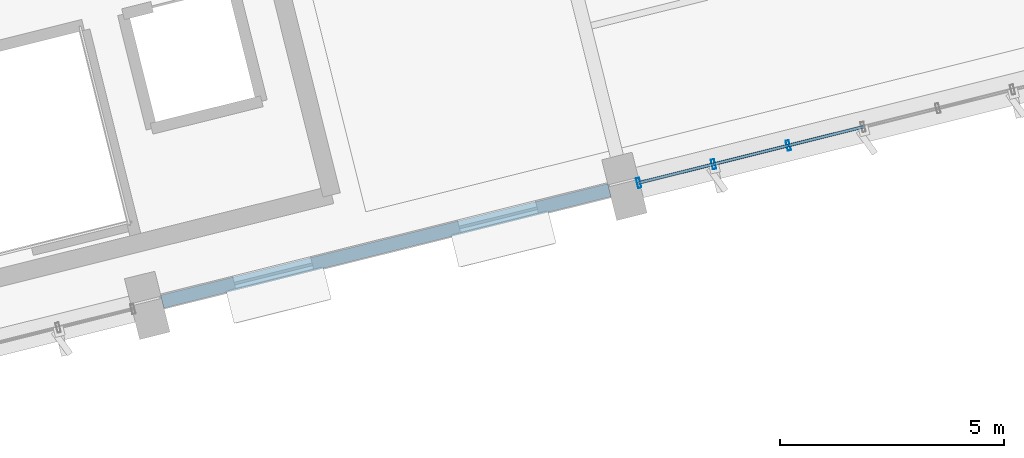
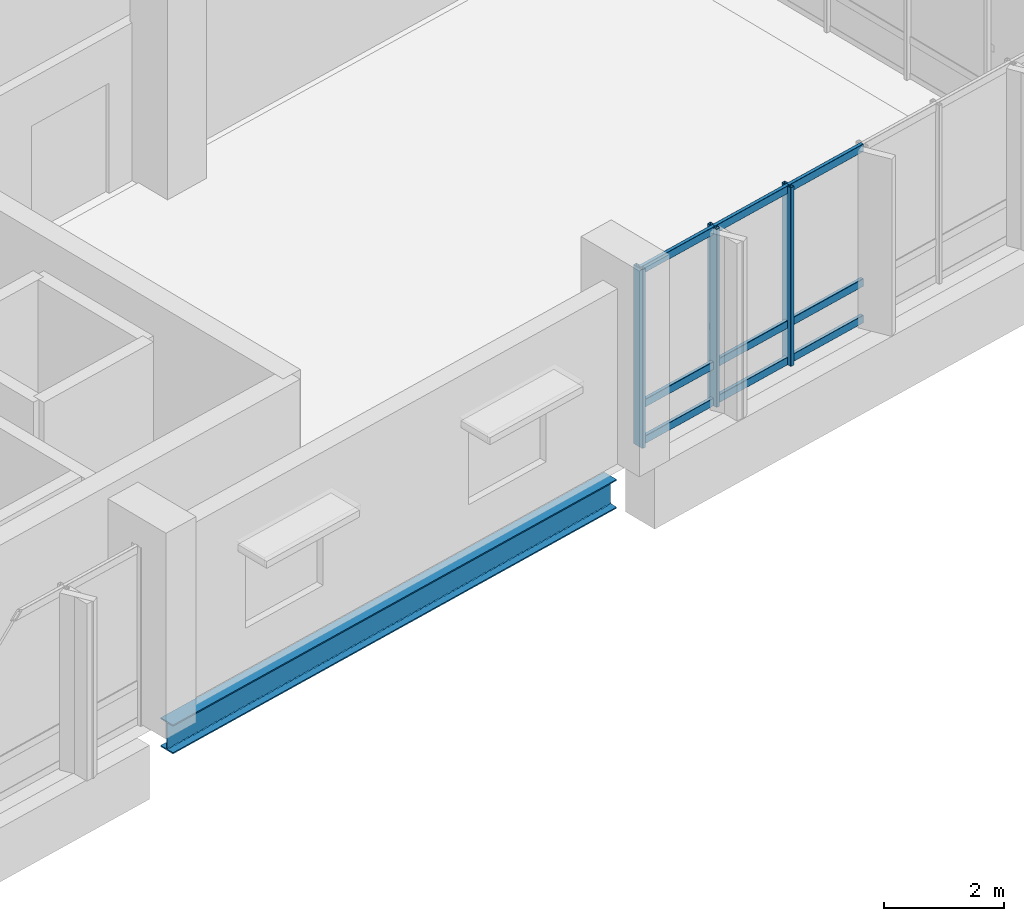
# One storey, part 9 of 22: 12 members, 1 beam, 1 element without a shape of its own.
"""IFC4 building model written with IfcOpenShell, lengths in metres."""

from ifc_helpers import new_model, si_unit, direction, frame, origin, origin_2d, place, context, subcontext, project, spatial, hollow_rectangle, i_section, extrude, material, layer, layer_set, material_profile, profile_set, type_object, element, aggregate, save


model = new_model("IFC4")

# Units and contexts
model_context = context("Model", 3, precision=1e-05, world=origin(), true_north=direction((0.0, 1.0)))
body_context = subcontext(model_context, "Body", "Model", "MODEL_VIEW")
ifc_project = project(units=[si_unit("LENGTHUNIT", "METRE"), si_unit("AREAUNIT", "SQUARE_METRE"), si_unit("VOLUMEUNIT", "CUBIC_METRE"), si_unit("PLANEANGLEUNIT", "RADIAN"), si_unit("MASSUNIT", "GRAM", prefix="KILO")], contexts=[model_context])

# Site, building, storey
site_placement = place(None, origin())
site = spatial("IfcSite", under=ifc_project, at=site_placement, CompositionType="ELEMENT")
building_placement = place(site_placement, origin())
building = spatial("IfcBuilding", under=site, at=building_placement, Name="Khorjan Park Terminus", CompositionType="ELEMENT")
storey_placement = place(building_placement, frame((0.0, 0.0, 24.6)))
storey = spatial("IfcBuildingStorey", under=building, at=storey_placement, Name="L05", CompositionType="ELEMENT", Elevation=24.6)

# Beam
ifc_material_1 = material(Name="Steel S355", Category="steel")
ifc_material_profile_1 = material_profile(ifc_material_1, i_section(OverallWidth=0.3, OverallDepth=0.59, WebThickness=0.013, FlangeThickness=0.025, FilletRadius=0.027, at=origin_2d()), Name="HEA 600")
ifc_profile_set_1 = profile_set([ifc_material_profile_1], Name="Steel S355")
beam_type = type_object("IfcBeamType", Name="BM-HEA600", PredefinedType="BEAM", material=ifc_profile_set_1)
beam_placement = place(storey_placement, frame((209.0278, 12.728, -0.625), z_axis=(0.970295784153, 0.241921663468, 0.0), x_axis=(-0.241921663468, 0.970295784153, 0.0)))
element("IfcBeam", 1, at=beam_placement, inside=storey, type_object=beam_type, Name="Primary skew-grid floor girder SB-A60 (L05)", PredefinedType="BEAM", context=body_context, shape_type="SweptSolid", body=[
    extrude(i_section(OverallWidth=0.3, OverallDepth=0.59, WebThickness=0.013, FlangeThickness=0.025, FilletRadius=0.027, at=origin_2d()), origin(), (0.0, 0.0, 1.0), 10.3099),
])

# Curtain wall, members
ifc_material_2 = material(Name="Anodized Bronze Aluminium", Category="aluminium")
ifc_layer = layer(ifc_material_2, 0.22)
ifc_layer_set = layer_set([ifc_layer], Name="Anodized Bronze Aluminium")
curtain_wall_type = type_object("IfcCurtainWallType", Name="CW-OPS-B", PredefinedType="NOTDEFINED", material=ifc_layer_set)
curtain_wall_placement = place(storey_placement, origin())
curtain_wall = element("IfcCurtainWall", 2, at=curtain_wall_placement, inside=storey, type_object=curtain_wall_type, Name="Unitized curtain wall CW-B (CW-V5-S-L05-B05)", PredefinedType="NOTDEFINED")
ifc_material_profile_2 = material_profile(ifc_material_2, hollow_rectangle(XDim=0.075, YDim=0.225, WallThickness=0.005, InnerFilletRadius=0.005, OuterFilletRadius=0.01, at=origin_2d()), Name="ALM 75x225x5")
ifc_profile_set_2 = profile_set([ifc_material_profile_2], Name="Anodized Bronze Aluminium")
member_type_1 = type_object("IfcMemberType", Name="ML-ALM-225", PredefinedType="MULLION", material=ifc_profile_set_2)
member_1_placement = place(storey_placement, frame((219.6863, 15.3855, -0.035), z_axis=(0.0, 0.0, 1.0), x_axis=(0.970296464407, 0.241918935098, 0.0)))
member_1 = element("IfcMember", 3, at=member_1_placement, type_object=member_type_1, Name="Curtain-wall mullion ML-22 (CW-V5-S-L05-B05-0)", PredefinedType="MULLION", context=body_context, shape_type="SweptSolid", body=[
    extrude(hollow_rectangle(XDim=0.075, YDim=0.225, WallThickness=0.005, InnerFilletRadius=0.005, OuterFilletRadius=0.01, at=origin_2d()), origin(), (0.0, 0.0, 1.0), 3.645),
])
member_2_placement = place(storey_placement, frame((221.3585, 15.8024, -0.035), z_axis=(0.0, 0.0, 1.0), x_axis=(0.970296464407, 0.241918935098, 0.0)))
member_2 = element("IfcMember", 4, at=member_2_placement, type_object=member_type_1, Name="Curtain-wall mullion ML-22 (CW-V5-S-L05-B05-1)", PredefinedType="MULLION", context=body_context, shape_type="SweptSolid", body=[
    extrude(hollow_rectangle(XDim=0.075, YDim=0.225, WallThickness=0.005, InnerFilletRadius=0.005, OuterFilletRadius=0.01, at=origin_2d()), origin(), (0.0, 0.0, 1.0), 3.645),
])
member_3_placement = place(storey_placement, frame((223.0308, 16.2194, -0.035), z_axis=(0.0, 0.0, 1.0), x_axis=(0.970296464407, 0.241918935098, 0.0)))
member_3 = element("IfcMember", 5, at=member_3_placement, type_object=member_type_1, Name="Curtain-wall mullion ML-22 (CW-V5-S-L05-B05-2)", PredefinedType="MULLION", context=body_context, shape_type="SweptSolid", body=[
    extrude(hollow_rectangle(XDim=0.075, YDim=0.225, WallThickness=0.005, InnerFilletRadius=0.005, OuterFilletRadius=0.01, at=origin_2d()), origin(), (0.0, 0.0, 1.0), 3.645),
])
ifc_material_profile_3 = material_profile(ifc_material_2, hollow_rectangle(XDim=0.07, YDim=0.16, WallThickness=0.004, InnerFilletRadius=0.004, OuterFilletRadius=0.008, at=origin_2d()), Name="ALT 70x160x4")
ifc_profile_set_3 = profile_set([ifc_material_profile_3], Name="Anodized Bronze Aluminium")
member_type_2 = type_object("IfcMemberType", Name="TR-ALT-160", PredefinedType="USERDEFINED", material=ifc_profile_set_3)
member_4_placement = place(storey_placement, frame((219.6863, 15.3855, 0.04), z_axis=(0.970299306534, 0.241907535518, 0.0), x_axis=(-0.241907535518, 0.970299306534, 0.0)))
member_4 = element("IfcMember", 6, at=member_4_placement, type_object=member_type_2, Name="Curtain-wall transom TR-16 (CW-V5-S-L05-B05-0-1)", ObjectType="TRANSOM", PredefinedType="USERDEFINED", context=body_context, shape_type="SweptSolid", body=[
    extrude(hollow_rectangle(XDim=0.07, YDim=0.16, WallThickness=0.004, InnerFilletRadius=0.004, OuterFilletRadius=0.008, at=origin_2d()), origin(), (0.0, 0.0, 1.0), 1.7234),
])
member_5_placement = place(storey_placement, frame((219.6863, 15.3855, 0.786), z_axis=(0.970299306534, 0.241907535518, 0.0), x_axis=(-0.241907535518, 0.970299306534, 0.0)))
member_5 = element("IfcMember", 7, at=member_5_placement, type_object=member_type_2, Name="Curtain-wall transom TR-16 (CW-V5-S-L05-B05-0-2)", ObjectType="TRANSOM", PredefinedType="USERDEFINED", context=body_context, shape_type="SweptSolid", body=[
    extrude(hollow_rectangle(XDim=0.07, YDim=0.16, WallThickness=0.004, InnerFilletRadius=0.004, OuterFilletRadius=0.008, at=origin_2d()), origin(), (0.0, 0.0, 1.0), 1.7234),
])
member_6_placement = place(storey_placement, frame((219.6863, 15.3855, 3.535), z_axis=(0.970299306534, 0.241907535518, 0.0), x_axis=(-0.241907535518, 0.970299306534, 0.0)))
member_6 = element("IfcMember", 8, at=member_6_placement, type_object=member_type_2, Name="Curtain-wall transom TR-16 (CW-V5-S-L05-B05-0-3)", ObjectType="TRANSOM", PredefinedType="USERDEFINED", context=body_context, shape_type="SweptSolid", body=[
    extrude(hollow_rectangle(XDim=0.07, YDim=0.16, WallThickness=0.004, InnerFilletRadius=0.004, OuterFilletRadius=0.008, at=origin_2d()), origin(), (0.0, 0.0, 1.0), 1.7234),
])
member_7_placement = place(storey_placement, frame((221.3585, 15.8024, 0.04), z_axis=(0.970289082125, 0.241948542275, 0.0), x_axis=(-0.241948542275, 0.970289082125, 0.0)))
member_7 = element("IfcMember", 9, at=member_7_placement, type_object=member_type_2, Name="Curtain-wall transom TR-16 (CW-V5-S-L05-B05-1-1)", ObjectType="TRANSOM", PredefinedType="USERDEFINED", context=body_context, shape_type="SweptSolid", body=[
    extrude(hollow_rectangle(XDim=0.07, YDim=0.16, WallThickness=0.004, InnerFilletRadius=0.004, OuterFilletRadius=0.008, at=origin_2d()), origin(), (0.0, 0.0, 1.0), 1.7235),
])
member_8_placement = place(storey_placement, frame((221.3585, 15.8024, 0.786), z_axis=(0.970289082125, 0.241948542275, 0.0), x_axis=(-0.241948542275, 0.970289082125, 0.0)))
member_8 = element("IfcMember", 10, at=member_8_placement, type_object=member_type_2, Name="Curtain-wall transom TR-16 (CW-V5-S-L05-B05-1-2)", ObjectType="TRANSOM", PredefinedType="USERDEFINED", context=body_context, shape_type="SweptSolid", body=[
    extrude(hollow_rectangle(XDim=0.07, YDim=0.16, WallThickness=0.004, InnerFilletRadius=0.004, OuterFilletRadius=0.008, at=origin_2d()), origin(), (0.0, 0.0, 1.0), 1.7235),
])
member_9_placement = place(storey_placement, frame((221.3585, 15.8024, 3.535), z_axis=(0.970289082125, 0.241948542275, 0.0), x_axis=(-0.241948542275, 0.970289082125, 0.0)))
member_9 = element("IfcMember", 11, at=member_9_placement, type_object=member_type_2, Name="Curtain-wall transom TR-16 (CW-V5-S-L05-B05-1-3)", ObjectType="TRANSOM", PredefinedType="USERDEFINED", context=body_context, shape_type="SweptSolid", body=[
    extrude(hollow_rectangle(XDim=0.07, YDim=0.16, WallThickness=0.004, InnerFilletRadius=0.004, OuterFilletRadius=0.008, at=origin_2d()), origin(), (0.0, 0.0, 1.0), 1.7235),
])
member_10_placement = place(storey_placement, frame((223.0308, 16.2194, 0.04), z_axis=(0.970299306534, 0.241907535518, 0.0), x_axis=(-0.241907535518, 0.970299306534, 0.0)))
member_10 = element("IfcMember", 12, at=member_10_placement, type_object=member_type_2, Name="Curtain-wall transom TR-16 (CW-V5-S-L05-B05-2-1)", ObjectType="TRANSOM", PredefinedType="USERDEFINED", context=body_context, shape_type="SweptSolid", body=[
    extrude(hollow_rectangle(XDim=0.07, YDim=0.16, WallThickness=0.004, InnerFilletRadius=0.004, OuterFilletRadius=0.008, at=origin_2d()), origin(), (0.0, 0.0, 1.0), 1.7234),
])
member_11_placement = place(storey_placement, frame((223.0308, 16.2194, 0.786), z_axis=(0.970299306534, 0.241907535518, 0.0), x_axis=(-0.241907535518, 0.970299306534, 0.0)))
member_11 = element("IfcMember", 13, at=member_11_placement, type_object=member_type_2, Name="Curtain-wall transom TR-16 (CW-V5-S-L05-B05-2-2)", ObjectType="TRANSOM", PredefinedType="USERDEFINED", context=body_context, shape_type="SweptSolid", body=[
    extrude(hollow_rectangle(XDim=0.07, YDim=0.16, WallThickness=0.004, InnerFilletRadius=0.004, OuterFilletRadius=0.008, at=origin_2d()), origin(), (0.0, 0.0, 1.0), 1.7234),
])
member_12_placement = place(storey_placement, frame((223.0308, 16.2194, 3.535), z_axis=(0.970299306534, 0.241907535518, 0.0), x_axis=(-0.241907535518, 0.970299306534, 0.0)))
member_12 = element("IfcMember", 14, at=member_12_placement, type_object=member_type_2, Name="Curtain-wall transom TR-16 (CW-V5-S-L05-B05-2-3)", ObjectType="TRANSOM", PredefinedType="USERDEFINED", context=body_context, shape_type="SweptSolid", body=[
    extrude(hollow_rectangle(XDim=0.07, YDim=0.16, WallThickness=0.004, InnerFilletRadius=0.004, OuterFilletRadius=0.008, at=origin_2d()), origin(), (0.0, 0.0, 1.0), 1.7234),
])
aggregate(curtain_wall, [member_1, member_2, member_3, member_4, member_5, member_6, member_7, member_8, member_9, member_10, member_11, member_12])

save(model, "model.ifc")
